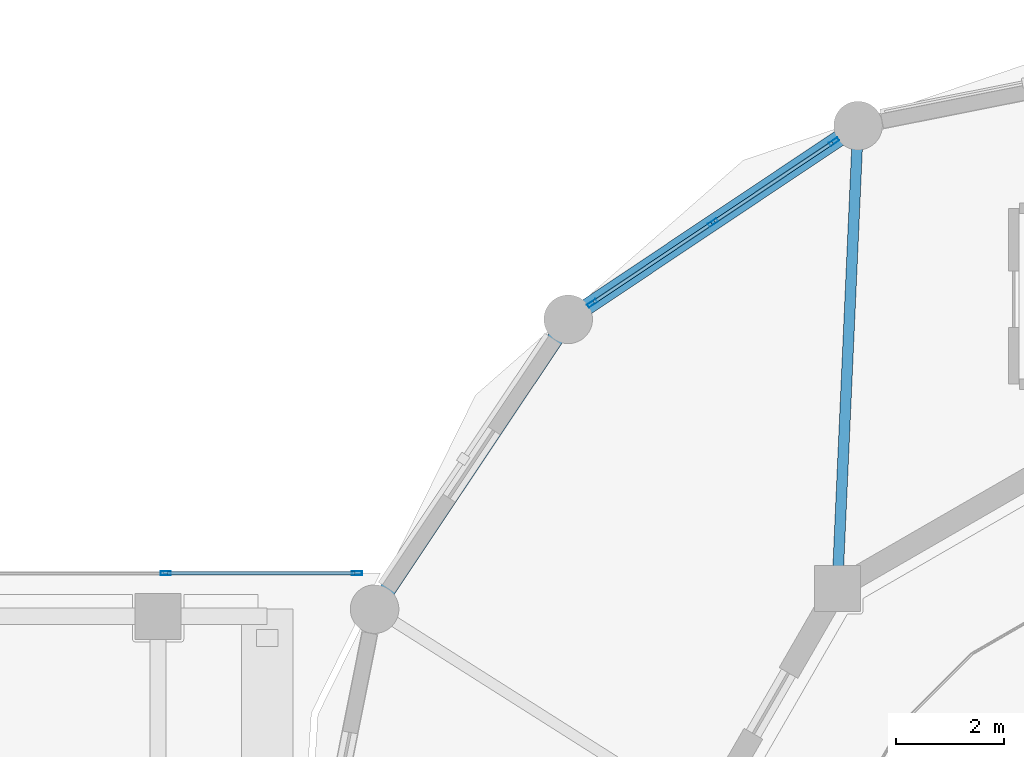
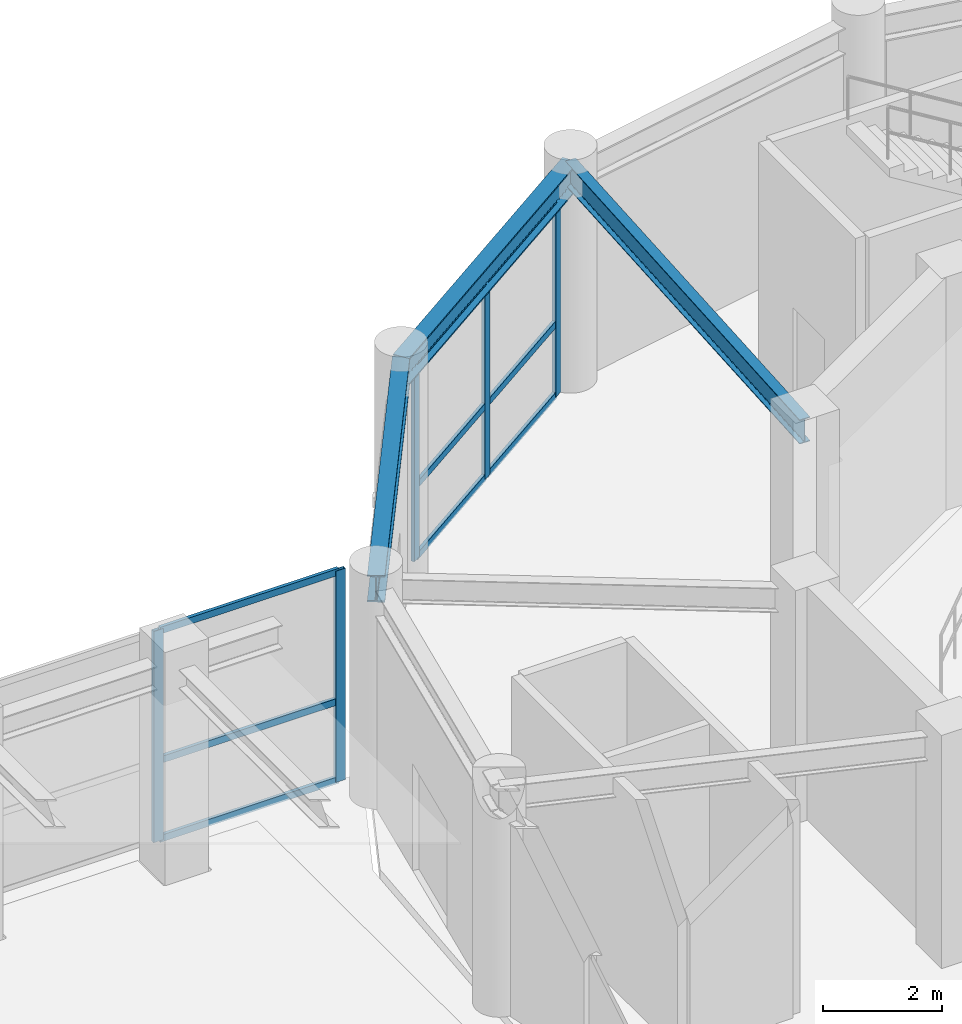
# One storey, part 24 of 44: 14 members, 3 beams, 2 elements without a shape of their own.
"""IFC4 building model written with IfcOpenShell, lengths in metres."""

from ifc_helpers import new_model, si_unit, derived_unit, direction, frame, origin, origin_2d, place, context, subcontext, project, spatial, hollow_rectangle, i_section, extrude, source, transform, mapped, material, layer, layer_set, material_profile, profile_set, type_object, element, aggregate, save


model = new_model("IFC4")

# Units and contexts
model_context = context("Model", 3, precision=1e-05, world=origin(), true_north=direction((0.0, 1.0)))
body_context = subcontext(model_context, "Body", "Model", "MODEL_VIEW")
ifc_project = project(units=[si_unit("LENGTHUNIT", "METRE"), si_unit("AREAUNIT", "SQUARE_METRE"), si_unit("VOLUMEUNIT", "CUBIC_METRE"), si_unit("PLANEANGLEUNIT", "RADIAN"), si_unit("MASSUNIT", "GRAM", prefix="KILO"), derived_unit("THERMALTRANSMITTANCEUNIT", [(si_unit("POWERUNIT", "WATT"), 1), (si_unit("LENGTHUNIT", "METRE"), -2), (si_unit("THERMODYNAMICTEMPERATUREUNIT", "KELVIN"), -1)])], contexts=[model_context])

# Site, building, storey
site_placement = place(None, origin())
site = spatial("IfcSite", under=ifc_project, at=site_placement, CompositionType="ELEMENT")
building_placement = place(site_placement, origin())
building = spatial("IfcBuilding", under=site, at=building_placement, Name="Korsvarv Bourse and Concert Hall", CompositionType="ELEMENT")
storey_placement = place(building_placement, frame((0.0, 0.0, 9.60009765625)))
storey = spatial("IfcBuildingStorey", under=building, at=storey_placement, Name="L02", CompositionType="ELEMENT", Elevation=9.60009765625)

# Beams
ifc_material_1 = material(Name="Steel S355", Category="steel")
ifc_material_profile_1 = material_profile(ifc_material_1, i_section(OverallWidth=0.300048828125, OverallDepth=0.550048828125, WebThickness=0.014892578125, FlangeThickness=0.029052734375, FilletRadius=0.02392578125, at=origin_2d()), Name="HEB 550")
ifc_profile_set_1 = profile_set([ifc_material_profile_1], Name="Steel S355")
beam_type_1 = type_object("IfcBeamType", Name="BM-HEB550", PredefinedType="BEAM", material=ifc_profile_set_1)
shared_shape_1 = source(origin(), body_context, "Body", "SweptSolid", [
    extrude(i_section(OverallWidth=0.300048828125, OverallDepth=0.550048828125, WebThickness=0.014892578125, FlangeThickness=0.029052734375, FilletRadius=0.02392578125, at=origin_2d()), origin(), (0.0, 0.0, 1.0), 6.45751953125),
])
for number, where, z_axis, x_axis, name in (
    (1, (100.466552734375, 51.290283203125, 4.224853515625), (-0.83146235745, -0.55558109052, 0.0), (0.55558109052, -0.83146235745, 0.0), "L02 beam B-06"),
    (2, (95.097412109375, 47.70263671875, 4.224853515625), (-0.55558109052, -0.83146235745, 0.0), (0.83146235745, -0.55558109052, 0.0), "L02 beam B-06"),
):
    element("IfcBeam", number, at=place(storey_placement, frame(where, z_axis=z_axis, x_axis=x_axis)), inside=storey, type_object=beam_type_1, Name=name, PredefinedType="BEAM", context=body_context, shape_type="MappedRepresentation", body=[
        mapped(shared_shape_1, transform((0.0, 0.0, 0.0), scale=1.0)),
    ])
ifc_material_profile_2 = material_profile(ifc_material_1, i_section(OverallWidth=0.199951171875, OverallDepth=0.5, WebThickness=0.01025390625, FlangeThickness=0.01611328125, FilletRadius=0.02099609375, at=origin_2d()), Name="IPE 500")
ifc_profile_set_2 = profile_set([ifc_material_profile_2], Name="Steel S355")
beam_type_2 = type_object("IfcBeamType", Name="BM-IPE500", PredefinedType="JOIST", material=ifc_profile_set_2)
shared_shape_2 = source(origin(), body_context, "Body", "SweptSolid", [
    extrude(i_section(OverallWidth=0.199951171875, OverallDepth=0.5, WebThickness=0.01025390625, FlangeThickness=0.01611328125, FilletRadius=0.02099609375, at=origin_2d()), origin(), (0.0, 0.0, 1.0), 8.581298828125),
])
beam_placement = place(storey_placement, frame((100.08251953125, 42.717529296875, 4.25), z_axis=(0.044752066119, 0.998998124412, 0.0), x_axis=(-0.998998124412, 0.044752066119, 0.0)))
element("IfcBeam", 3, at=beam_placement, inside=storey, type_object=beam_type_2, Name="L02 beam J-03", PredefinedType="JOIST", context=body_context, shape_type="MappedRepresentation", body=[
    mapped(shared_shape_2, transform((0.0, 0.0, 0.0), scale=1.0)),
])

# Curtain wall, members
ifc_material_2 = material(Name="Anodised aluminium and triple low-E glazing", Category="glass")
ifc_layer_1 = layer(ifc_material_2, 0.239990234375)
ifc_layer_set_1 = layer_set([ifc_layer_1], Name="Anodised aluminium and triple low-E glazing")
curtain_wall_type_1 = type_object("IfcCurtainWallType", Name="CW-SYS-5", PredefinedType="NOTDEFINED", material=ifc_layer_set_1)
curtain_wall_1_placement = place(storey_placement, origin())
curtain_wall_1 = element("IfcCurtainWall", 4, at=curtain_wall_1_placement, inside=storey, type_object=curtain_wall_type_1, Name="L02 CW5 curtain wall CW-L02-LKN", PredefinedType="NOTDEFINED")
ifc_material_3 = material(Name="Extruded aluminium EN AW-6063 T66", Category="aluminium")
ifc_material_profile_3 = material_profile(ifc_material_3, hollow_rectangle(XDim=0.06494140625, YDim=0.139892578125, WallThickness=0.00390625, at=origin_2d()), Name="ALU-T 65x140")
ifc_profile_set_3 = profile_set([ifc_material_profile_3], Name="Extruded aluminium EN AW-6063 T66")
member_type_1 = type_object("IfcMemberType", Name="CWT-140", PredefinedType="USERDEFINED", material=ifc_profile_set_3)
shared_shape_3 = source(origin(), body_context, "Body", "SweptSolid", [
    extrude(hollow_rectangle(XDim=0.06494140625, YDim=0.139892578125, WallThickness=0.00390625, at=origin_2d()), origin(), (0.0, 0.0, 1.0), 3.474853515625),
])
member_1_placement = place(storey_placement, frame((87.675048828125, 43.0, 0.032470703125), z_axis=(1.0, 0.0, 0.0), x_axis=(0.0, 1.0, 0.0)))
member_1 = element("IfcMember", 5, at=member_1_placement, type_object=member_type_1, Name="CW5 transom 7.1", ObjectType="TRANSOM", PredefinedType="USERDEFINED", context=body_context, shape_type="MappedRepresentation", body=[
    mapped(shared_shape_3, transform((0.0, 0.0, 0.0), scale=1.0)),
])
member_2_placement = place(storey_placement, frame((87.675048828125, 43.0, 1.65283203125), z_axis=(1.0, 0.0, 0.0), x_axis=(0.0, 1.0, 0.0)))
member_2 = element("IfcMember", 6, at=member_2_placement, type_object=member_type_1, Name="CW5 transom 7.2", ObjectType="TRANSOM", PredefinedType="USERDEFINED", context=body_context, shape_type="MappedRepresentation", body=[
    mapped(shared_shape_3, transform((0.0, 0.0, 0.0), scale=1.0)),
])
member_3_placement = place(storey_placement, frame((87.675048828125, 43.0, 4.3173828125), z_axis=(1.0, 0.0, 0.0), x_axis=(0.0, 1.0, 0.0)))
member_3 = element("IfcMember", 7, at=member_3_placement, type_object=member_type_1, Name="CW5 transom 7.3", ObjectType="TRANSOM", PredefinedType="USERDEFINED", context=body_context, shape_type="MappedRepresentation", body=[
    mapped(shared_shape_3, transform((0.0, 0.0, 0.0), scale=1.0)),
])

ifc_layer_2 = layer(ifc_material_2, 0.22998046875)
ifc_layer_set_2 = layer_set([ifc_layer_2], Name="Anodised aluminium and triple low-E glazing")
curtain_wall_type_2 = type_object("IfcCurtainWallType", Name="CW-SYS-6", PredefinedType="NOTDEFINED", material=ifc_layer_set_2)
curtain_wall_2_placement = place(storey_placement, origin())
curtain_wall_2 = element("IfcCurtainWall", 8, at=curtain_wall_2_placement, inside=storey, type_object=curtain_wall_type_2, Name="L02 CW6 curtain wall CW-L02-CH06", PredefinedType="NOTDEFINED")
shared_shape_4 = source(origin(), body_context, "Body", "SweptSolid", [
    extrude(hollow_rectangle(XDim=0.06494140625, YDim=0.139892578125, WallThickness=0.00390625, at=origin_2d()), origin(), (0.0, 0.0, 1.0), 2.62353515625),
])
member_4_placement = place(storey_placement, frame((99.992431640625, 50.973388671875, 0.032470703125), z_axis=(-0.831477183587, -0.555558901624, 0.0), x_axis=(0.555558901624, -0.831477183587, 0.0)))
member_4 = element("IfcMember", 9, at=member_4_placement, type_object=member_type_1, Name="CW6 transom 1.1", ObjectType="TRANSOM", PredefinedType="USERDEFINED", context=body_context, shape_type="MappedRepresentation", body=[
    mapped(shared_shape_4, transform((0.0, 0.0, 0.0), scale=1.0)),
])
member_5_placement = place(storey_placement, frame((99.992431640625, 50.973388671875, 1.5009765625), z_axis=(-0.831477183587, -0.555558901624, 0.0), x_axis=(0.555558901624, -0.831477183587, 0.0)))
member_5 = element("IfcMember", 10, at=member_5_placement, type_object=member_type_1, Name="CW6 transom 1.2", ObjectType="TRANSOM", PredefinedType="USERDEFINED", context=body_context, shape_type="MappedRepresentation", body=[
    mapped(shared_shape_4, transform((0.0, 0.0, 0.0), scale=1.0)),
])
member_6_placement = place(storey_placement, frame((99.992431640625, 50.973388671875, 3.91748046875), z_axis=(-0.831477183587, -0.555558901624, 0.0), x_axis=(0.555558901624, -0.831477183587, 0.0)))
member_6 = element("IfcMember", 11, at=member_6_placement, type_object=member_type_1, Name="CW6 transom 1.3", ObjectType="TRANSOM", PredefinedType="USERDEFINED", context=body_context, shape_type="MappedRepresentation", body=[
    mapped(shared_shape_4, transform((0.0, 0.0, 0.0), scale=1.0)),
])
member_7_placement = place(storey_placement, frame((97.7529296875, 49.47705078125, 0.032470703125), z_axis=(-0.831434196411, -0.55562323299, 0.0), x_axis=(0.55562323299, -0.831434196411, 0.0)))
member_7 = element("IfcMember", 12, at=member_7_placement, type_object=member_type_1, Name="CW6 transom 2.1", ObjectType="TRANSOM", PredefinedType="USERDEFINED", context=body_context, shape_type="MappedRepresentation", body=[
    mapped(shared_shape_4, transform((0.0, 0.0, 0.0), scale=1.0)),
])
member_8_placement = place(storey_placement, frame((97.7529296875, 49.47705078125, 1.5009765625), z_axis=(-0.831434196411, -0.55562323299, 0.0), x_axis=(0.55562323299, -0.831434196411, 0.0)))
member_8 = element("IfcMember", 13, at=member_8_placement, type_object=member_type_1, Name="CW6 transom 2.2", ObjectType="TRANSOM", PredefinedType="USERDEFINED", context=body_context, shape_type="MappedRepresentation", body=[
    mapped(shared_shape_4, transform((0.0, 0.0, 0.0), scale=1.0)),
])
member_9_placement = place(storey_placement, frame((97.7529296875, 49.47705078125, 3.91748046875), z_axis=(-0.831434196411, -0.55562323299, 0.0), x_axis=(0.55562323299, -0.831434196411, 0.0)))
member_9 = element("IfcMember", 14, at=member_9_placement, type_object=member_type_1, Name="CW6 transom 2.3", ObjectType="TRANSOM", PredefinedType="USERDEFINED", context=body_context, shape_type="MappedRepresentation", body=[
    mapped(shared_shape_4, transform((0.0, 0.0, 0.0), scale=1.0)),
])
ifc_material_profile_4 = material_profile(ifc_material_3, hollow_rectangle(XDim=0.070068359375, YDim=0.18994140625, WallThickness=0.0048828125, at=origin_2d()), Name="ALU-M 70x190")
ifc_profile_set_4 = profile_set([ifc_material_profile_4], Name="Extruded aluminium EN AW-6063 T66")
member_type_2 = type_object("IfcMemberType", Name="CWM-190", PredefinedType="MULLION", material=ifc_profile_set_4)
shared_shape_5 = source(origin(), body_context, "Body", "SweptSolid", [
    extrude(hollow_rectangle(XDim=0.070068359375, YDim=0.18994140625, WallThickness=0.0048828125, at=origin_2d()), origin(), (0.0, 0.0, 1.0), 3.949951171875),
])
member_10_placement = place(storey_placement, frame((100.021484375, 50.992919921875, 0.0), z_axis=(0.0, 0.0, 1.0), x_axis=(0.555571024599, -0.831469083386, 0.0)))
member_10 = element("IfcMember", 15, at=member_10_placement, type_object=member_type_2, Name="CW6 mullion 1", PredefinedType="MULLION", context=body_context, shape_type="MappedRepresentation", body=[
    mapped(shared_shape_5, transform((0.0, 0.0, 0.0), scale=1.0)),
])
member_11_placement = place(storey_placement, frame((97.781982421875, 49.496337890625, 0.0), z_axis=(0.0, 0.0, 1.0), x_axis=(0.555571024599, -0.831469083386, 0.0)))
member_11 = element("IfcMember", 16, at=member_11_placement, type_object=member_type_2, Name="CW6 mullion 2", PredefinedType="MULLION", context=body_context, shape_type="MappedRepresentation", body=[
    mapped(shared_shape_5, transform((0.0, 0.0, 0.0), scale=1.0)),
])
member_12_placement = place(storey_placement, frame((95.54248046875, 48.0, 0.0), z_axis=(0.0, 0.0, 1.0), x_axis=(0.555571024599, -0.831469083386, 0.0)))
member_12 = element("IfcMember", 17, at=member_12_placement, type_object=member_type_2, Name="CW6 mullion 3", PredefinedType="MULLION", context=body_context, shape_type="MappedRepresentation", body=[
    mapped(shared_shape_5, transform((0.0, 0.0, 0.0), scale=1.0)),
])
aggregate(curtain_wall_2, [member_10, member_11, member_12, member_4, member_5, member_6, member_7, member_8, member_9])

# Member
shared_shape_6 = source(origin(), body_context, "Body", "SweptSolid", [
    extrude(hollow_rectangle(XDim=0.070068359375, YDim=0.18994140625, WallThickness=0.0048828125, at=origin_2d()), origin(), (0.0, 0.0, 1.0), 4.349853515625),
])
member_13_placement = place(storey_placement, frame((87.639892578125, 43.0, 0.0), z_axis=(0.0, 0.0, 1.0), x_axis=(0.0, 1.0, 0.0)))
member_13 = element("IfcMember", 18, at=member_13_placement, type_object=member_type_2, Name="CW5 mullion 7", PredefinedType="MULLION", context=body_context, shape_type="MappedRepresentation", body=[
    mapped(shared_shape_6, transform((0.0, 0.0, 0.0), scale=1.0)),
])

member_14_placement = place(storey_placement, frame((91.18505859375, 43.0, 0.0), z_axis=(0.0, 0.0, 1.0), x_axis=(0.0, 1.0, 0.0)))
member_14 = element("IfcMember", 19, at=member_14_placement, type_object=member_type_2, Name="CW5 mullion 8", PredefinedType="MULLION", context=body_context, shape_type="MappedRepresentation", body=[
    mapped(shared_shape_6, transform((0.0, 0.0, 0.0), scale=1.0)),
])

aggregate(curtain_wall_1, [member_13, member_14, member_1, member_2, member_3])

save(model, "model.ifc")
